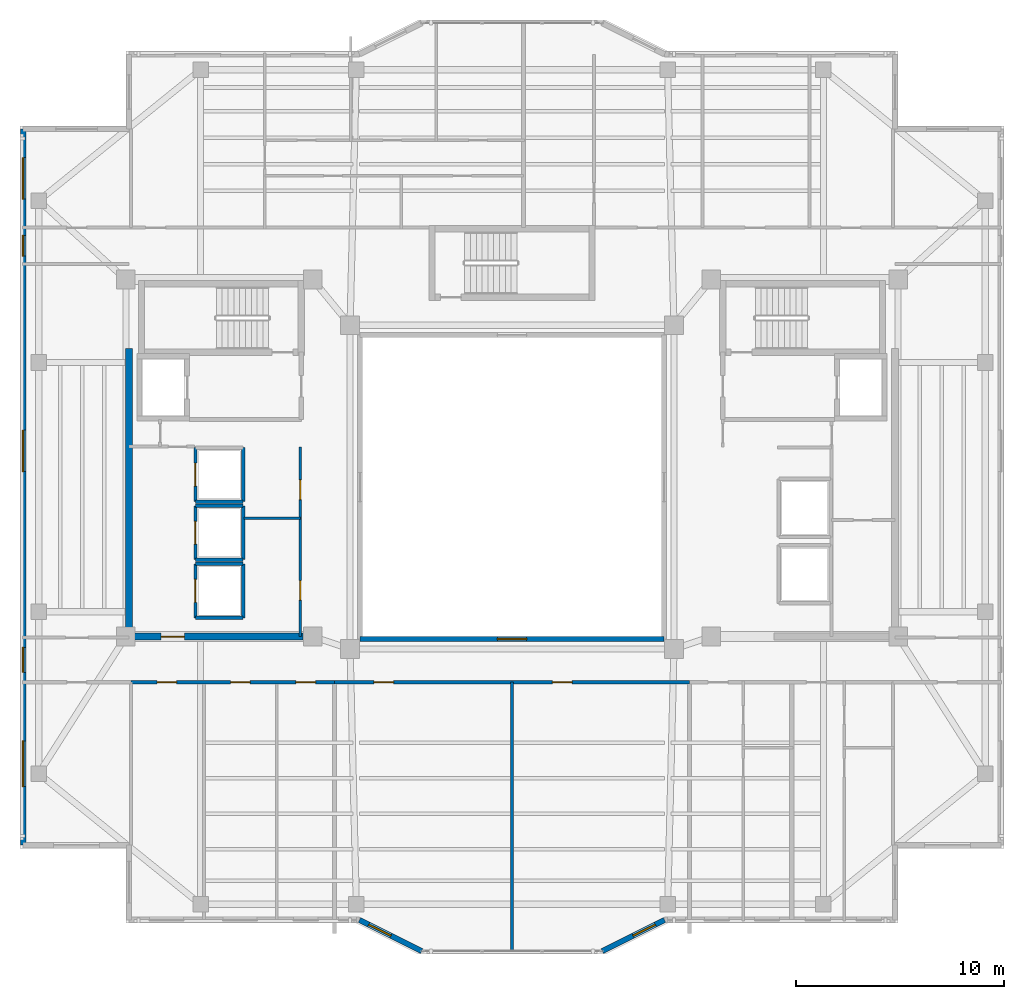
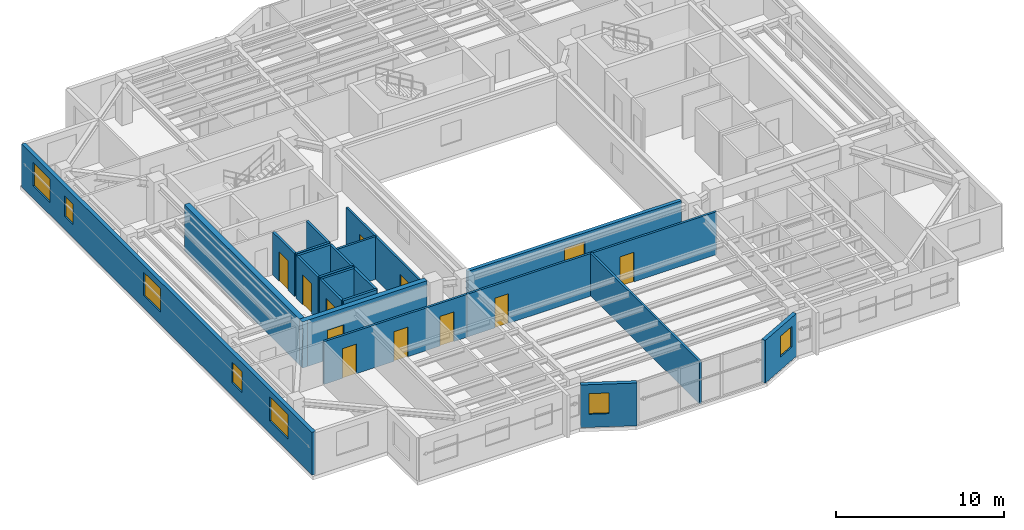
# One storey, part 6 of 13: 22 walls, 11 doors, 8 windows, 19 openings.
"""IFC4 building model written with IfcOpenShell, lengths in metres."""

from ifc_helpers import new_model, si_unit, direction, frame, frame_2d, origin, place, context, subcontext, project, spatial, rectangle, extrude, material, layer, layer_set, type_object, element, fill, save


model = new_model("IFC4")

# Units and contexts
model_context = context("Model", 3, precision=1e-05, world=origin(), true_north=direction((0.0, 1.0)))
body_context = subcontext(model_context, "Body", "Model", "MODEL_VIEW")
ifc_project = project(units=[si_unit("LENGTHUNIT", "METRE"), si_unit("AREAUNIT", "SQUARE_METRE"), si_unit("VOLUMEUNIT", "CUBIC_METRE"), si_unit("PLANEANGLEUNIT", "RADIAN"), si_unit("MASSUNIT", "GRAM", prefix="KILO")], contexts=[model_context])

# Site, building, storey
site_placement = place(None, origin())
site = spatial("IfcSite", under=ifc_project, at=site_placement, CompositionType="ELEMENT")
building_placement = place(site_placement, origin())
building = spatial("IfcBuilding", under=site, at=building_placement, Name="Tarnavaz Court Tower", CompositionType="ELEMENT")
storey_placement = place(building_placement, frame((0.0, 0.0, 193.60009765625)))
storey = spatial("IfcBuildingStorey", under=building, at=storey_placement, Name="L52", CompositionType="ELEMENT", Elevation=193.60009765625)

# Wall
ifc_material_1 = material(Name="Concrete C50/60", Category="concrete")
ifc_layer_1 = layer(ifc_material_1, 0.35009765625)
ifc_layer_set_1 = layer_set([ifc_layer_1], Name="Concrete C50/60")
wall_type_1 = type_object("IfcWallType", Name="WL-CORE-350-C50", PredefinedType="SHEAR", material=ifc_layer_set_1)
wall_1_placement = place(storey_placement, frame((-18.449951171875, -7.375, 0.0), z_axis=(0.0, 0.0, 1.0), x_axis=(0.0, 1.0, 0.0)))
element("IfcWall", 1, at=wall_1_placement, inside=storey, type_object=wall_type_1, Name="L52 West Core Shear Wall 045", PredefinedType="SHEAR", context=body_context, shape_type="SweptSolid", body=[
    extrude(rectangle(XDim=14.050048828125, YDim=0.35009765625, at=frame_2d((7.02490234375, 0.0))), origin(), (0.0, 0.0, 1.0), 3.349853515625),
])

# Wall, opening, door
wall_2_placement = place(storey_placement, frame((-18.625, -7.199951171875, 0.0), z_axis=(0.0, 0.0, 1.0), x_axis=(1.0, 0.0, 0.0)))
wall_2 = element("IfcWall", 2, at=wall_2_placement, inside=storey, type_object=wall_type_1, Name="L52 West Core South Shear Wall 046", PredefinedType="SHEAR", context=body_context, shape_type="SweptSolid", body=[
    extrude(rectangle(XDim=8.550048828125, YDim=0.35009765625, at=frame_2d((4.27490234375, 0.0))), origin(), (0.0, 0.0, 1.0), 3.349853515625),
])
opening_1_placement = place(wall_2_placement, frame((1.72509765625, 0.0, 0.0)))
opening_1 = element("IfcOpeningElement", 3, at=opening_1_placement, cuts=wall_2, Name="Opening D04", PredefinedType="OPENING", context=body_context, shape_type="SweptSolid", body=[
    extrude(rectangle(XDim=1.1201171875, YDim=2.14990234375, at=frame_2d((0.56005859375, 1.074951171875))), frame((0.0, 0.18505859375, 0.0), z_axis=(0.0, -1.0, 0.0), x_axis=(1.0, 0.0, 0.0)), (0.0, 0.0, 1.0), 0.3701171875),
])
ifc_material_2 = material(Name="Fire-Rated Hardwood Timber Core", Category="wood")
door_type_1 = type_object("IfcDoorType", Name="DR-FD60-1100", OperationType="NOTDEFINED", PredefinedType="DOOR", material=ifc_material_2)
door_1_placement = place(opening_1_placement, origin())
door_1 = element("IfcDoor", 4, at=door_1_placement, inside=storey, type_object=door_type_1, Name="L52 West High-Rise Lift Lobby Door", OperationType="SINGLE_SWING_LEFT", OverallHeight=2.14990234375, OverallWidth=1.1201171875, PredefinedType="DOOR", context=body_context, shape_type="SweptSolid", body=[
    extrude(rectangle(XDim=1.1201171875, YDim=2.14990234375, at=frame_2d((0.56005859375, 1.074951171875))), frame((0.0, 0.02490234375, 0.0), z_axis=(0.0, -1.0, 0.0), x_axis=(1.0, 0.0, 0.0)), (0.0, 0.0, 1.0), 0.050048828125),
])
fill(opening_1, door_1)

# Wall, openings, windows
ifc_material_3 = material(Name="Precast Concrete C40/50", Category="concrete")
ifc_layer_2 = layer(ifc_material_3, 0.260009765625)
ifc_layer_set_2 = layer_set([ifc_layer_2], Name="Precast Concrete C40/50")
wall_type_2 = type_object("IfcWallType", Name="WL-EXT-260", PredefinedType="SOLIDWALL", material=ifc_layer_set_2)
wall_3_placement = place(storey_placement, frame((-23.550048828125, -17.25, 0.0), z_axis=(0.0, 0.0, 1.0), x_axis=(0.0, 1.0, 0.0)))
wall_3 = element("IfcWall", 5, at=wall_3_placement, inside=storey, type_object=wall_type_2, Name="L52 Exterior Terracotta Facade Wall 02", PredefinedType="SOLIDWALL", context=body_context, shape_type="SweptSolid", body=[
    extrude(rectangle(XDim=34.5, YDim=0.260009765625, at=frame_2d((17.25, 0.0))), origin(), (0.0, 0.0, 1.0), 3.099853515625),
])
opening_2_placement = place(wall_3_placement, frame((2.824951171875, 0.0, 0.89990234375)))
opening_2 = element("IfcOpeningElement", 6, at=opening_2_placement, cuts=wall_3, Name="Opening W07", PredefinedType="OPENING", context=body_context, shape_type="SweptSolid", body=[
    extrude(rectangle(XDim=2.199951171875, YDim=1.75, at=frame_2d((1.10009765625, 0.875))), frame((0.0, 0.139892578125, 0.0), z_axis=(0.0, -1.0, 0.0), x_axis=(1.0, 0.0, 0.0)), (0.0, 0.0, 1.0), 0.280029296875),
])
opening_3_placement = place(wall_3_placement, frame((8.324951171875, 0.0, 0.949951171875)))
opening_3 = element("IfcOpeningElement", 7, at=opening_3_placement, cuts=wall_3, Name="Opening W05", PredefinedType="OPENING", context=body_context, shape_type="SweptSolid", body=[
    extrude(rectangle(XDim=1.199951171875, YDim=1.5, at=frame_2d((0.60009765625, 0.75))), frame((0.0, 0.139892578125, 0.0), z_axis=(0.0, -1.0, 0.0), x_axis=(1.0, 0.0, 0.0)), (0.0, 0.0, 1.0), 0.280029296875),
])
opening_4_placement = place(wall_3_placement, frame((18.0, 0.0, 0.89990234375)))
opening_4 = element("IfcOpeningElement", 8, at=opening_4_placement, cuts=wall_3, Name="Opening W08", PredefinedType="OPENING", context=body_context, shape_type="SweptSolid", body=[
    extrude(rectangle(XDim=2.0, YDim=1.699951171875, at=frame_2d((1.0, 0.85009765625))), frame((0.0, 0.139892578125, 0.0), z_axis=(0.0, -1.0, 0.0), x_axis=(1.0, 0.0, 0.0)), (0.0, 0.0, 1.0), 0.280029296875),
])
opening_5_placement = place(wall_3_placement, frame((28.375, 0.0, 0.949951171875)))
opening_5 = element("IfcOpeningElement", 9, at=opening_5_placement, cuts=wall_3, Name="Opening W14", PredefinedType="OPENING", context=body_context, shape_type="SweptSolid", body=[
    extrude(rectangle(XDim=1.0, YDim=1.5, at=frame_2d((0.5, 0.75))), frame((0.0, 0.139892578125, 0.0), z_axis=(0.0, -1.0, 0.0), x_axis=(1.0, 0.0, 0.0)), (0.0, 0.0, 1.0), 0.280029296875),
])
opening_6_placement = place(wall_3_placement, frame((31.125, 0.0, 0.89990234375)))
opening_6 = element("IfcOpeningElement", 10, at=opening_6_placement, cuts=wall_3, Name="Opening W08", PredefinedType="OPENING", context=body_context, shape_type="SweptSolid", body=[
    extrude(rectangle(XDim=2.0, YDim=1.699951171875, at=frame_2d((1.0, 0.85009765625))), frame((0.0, 0.139892578125, 0.0), z_axis=(0.0, -1.0, 0.0), x_axis=(1.0, 0.0, 0.0)), (0.0, 0.0, 1.0), 0.280029296875),
])
ifc_material_4 = material(Name="Double-Glazed Solar Low-E Glass", Category="glass")
window_type_1 = type_object("IfcWindowType", Name="WN-APT-1000", PartitioningType="SINGLE_PANEL", PredefinedType="WINDOW", material=ifc_material_4)
window_1_placement = place(opening_5_placement, origin())
window_1 = element("IfcWindow", 11, at=window_1_placement, inside=storey, type_object=window_type_1, Name="L52 North-West Corner Corridor Window", OverallHeight=1.5, OverallWidth=1.0, PartitioningType="SINGLE_PANEL", PredefinedType="WINDOW", context=body_context, shape_type="SweptSolid", body=[
    extrude(rectangle(XDim=1.0, YDim=1.5, at=frame_2d((0.5, 0.75))), frame((0.0, 0.030029296875, 0.0), z_axis=(0.0, -1.0, 0.0), x_axis=(1.0, 0.0, 0.0)), (0.0, 0.0, 1.0), 0.06005859375),
])
fill(opening_5, window_1)
window_type_2 = type_object("IfcWindowType", Name="WN-APT-1200", PartitioningType="SINGLE_PANEL", PredefinedType="WINDOW", material=ifc_material_4)
window_2_placement = place(opening_3_placement, origin())
window_2 = element("IfcWindow", 12, at=window_2_placement, inside=storey, type_object=window_type_2, Name="L52 South-West Corner Corridor Window", OverallHeight=1.5, OverallWidth=1.199951171875, PartitioningType="SINGLE_PANEL", PredefinedType="WINDOW", context=body_context, shape_type="SweptSolid", body=[
    extrude(rectangle(XDim=1.199951171875, YDim=1.5, at=frame_2d((0.60009765625, 0.75))), frame((0.0, 0.030029296875, 0.0), z_axis=(0.0, -1.0, 0.0), x_axis=(1.0, 0.0, 0.0)), (0.0, 0.0, 1.0), 0.06005859375),
])
fill(opening_3, window_2)
window_type_3 = type_object("IfcWindowType", Name="WN-APT-2000", PartitioningType="DOUBLE_PANEL_VERTICAL", PredefinedType="WINDOW", material=ifc_material_4)
window_3_placement = place(opening_4_placement, origin())
window_3 = element("IfcWindow", 13, at=window_3_placement, inside=storey, type_object=window_type_3, Name="L52 West Wing Panoramic Study Gallery Window", OverallHeight=1.699951171875, OverallWidth=2.0, PartitioningType="SINGLE_PANEL", PredefinedType="WINDOW", context=body_context, shape_type="SweptSolid", body=[
    extrude(rectangle(XDim=2.0, YDim=1.699951171875, at=frame_2d((1.0, 0.85009765625))), frame((0.0, 0.030029296875, 0.0), z_axis=(0.0, -1.0, 0.0), x_axis=(1.0, 0.0, 0.0)), (0.0, 0.0, 1.0), 0.06005859375),
])
fill(opening_4, window_3)
window_4_placement = place(opening_6_placement, origin())
window_4 = element("IfcWindow", 14, at=window_4_placement, inside=storey, type_object=window_type_3, Name="L52 North-West Corner Sunroom Study Window", OverallHeight=1.699951171875, OverallWidth=2.0, PartitioningType="SINGLE_PANEL", PredefinedType="WINDOW", context=body_context, shape_type="SweptSolid", body=[
    extrude(rectangle(XDim=2.0, YDim=1.699951171875, at=frame_2d((1.0, 0.85009765625))), frame((0.0, 0.030029296875, 0.0), z_axis=(0.0, -1.0, 0.0), x_axis=(1.0, 0.0, 0.0)), (0.0, 0.0, 1.0), 0.06005859375),
])
fill(opening_6, window_4)
window_type_4 = type_object("IfcWindowType", Name="WN-APT-2200", PartitioningType="TRIPLE_PANEL_VERTICAL", PredefinedType="WINDOW", material=ifc_material_4)
window_5_placement = place(opening_2_placement, origin())
window_5 = element("IfcWindow", 15, at=window_5_placement, inside=storey, type_object=window_type_4, Name="L52 South-West Corner Reading Room Window", OverallHeight=1.75, OverallWidth=2.199951171875, PartitioningType="SINGLE_PANEL", PredefinedType="WINDOW", context=body_context, shape_type="SweptSolid", body=[
    extrude(rectangle(XDim=2.199951171875, YDim=1.75, at=frame_2d((1.10009765625, 0.875))), frame((0.0, 0.030029296875, 0.0), z_axis=(0.0, -1.0, 0.0), x_axis=(1.0, 0.0, 0.0)), (0.0, 0.0, 1.0), 0.06005859375),
])
fill(opening_2, window_5)

# Wall, opening, window
wall_4_placement = place(storey_placement, frame((7.35009765625, -20.85009765625, 0.0), z_axis=(0.0, 0.0, 1.0), x_axis=(-0.894427191, -0.4472135955, 0.0)))
wall_4 = element("IfcWall", 16, at=wall_4_placement, inside=storey, type_object=wall_type_2, Name="L52 Exterior Terracotta Facade Wall 16", PredefinedType="SOLIDWALL", context=body_context, shape_type="SweptSolid", body=[
    extrude(rectangle(XDim=3.35400390625, YDim=0.260009765625, at=frame_2d((1.677001953125, 0.0))), origin(), (0.0, 0.0, 1.0), 3.099853515625),
])
opening_7_placement = place(wall_4_placement, frame((0.501220703125, 0.0, 0.949951171875)))
opening_7 = element("IfcOpeningElement", 17, at=opening_7_placement, cuts=wall_4, Name="Opening W05", PredefinedType="OPENING", context=body_context, shape_type="SweptSolid", body=[
    extrude(rectangle(XDim=1.199951171875, YDim=1.5, at=frame_2d((0.60009765625, 0.75))), frame((0.0, 0.139892578125, 0.0), z_axis=(0.0, -1.0, 0.0), x_axis=(1.0, 0.0, 0.0)), (0.0, 0.0, 1.0), 0.280029296875),
])
window_6_placement = place(opening_7_placement, origin())
window_6 = element("IfcWindow", 18, at=window_6_placement, inside=storey, type_object=window_type_2, Name="L52 South Courtyard Reading Room Window", OverallHeight=1.5, OverallWidth=1.199951171875, PartitioningType="SINGLE_PANEL", PredefinedType="WINDOW", context=body_context, shape_type="SweptSolid", body=[
    extrude(rectangle(XDim=1.199951171875, YDim=1.5, at=frame_2d((0.60009765625, 0.75))), frame((0.0, 0.030029296875, 0.0), z_axis=(0.0, -1.0, 0.0), x_axis=(1.0, 0.0, 0.0)), (0.0, 0.0, 1.0), 0.06005859375),
])
fill(opening_7, window_6)

wall_5_placement = place(storey_placement, frame((-4.35009765625, -22.35009765625, 0.0), z_axis=(0.0, 0.0, 1.0), x_axis=(-0.894427191, 0.4472135955, 0.0)))
wall_5 = element("IfcWall", 19, at=wall_5_placement, inside=storey, type_object=wall_type_2, Name="L52 Exterior Terracotta Facade Wall 18", PredefinedType="SOLIDWALL", context=body_context, shape_type="SweptSolid", body=[
    extrude(rectangle(XDim=3.35400390625, YDim=0.260009765625, at=frame_2d((1.677001953125, 0.0))), origin(), (0.0, 0.0, 1.0), 3.099853515625),
])
opening_8_placement = place(wall_5_placement, frame((1.65283203125, 0.0, 0.949951171875)))
opening_8 = element("IfcOpeningElement", 20, at=opening_8_placement, cuts=wall_5, Name="Opening W05", PredefinedType="OPENING", context=body_context, shape_type="SweptSolid", body=[
    extrude(rectangle(XDim=1.199951171875, YDim=1.5, at=frame_2d((0.60009765625, 0.75))), frame((0.0, 0.139892578125, 0.0), z_axis=(0.0, -1.0, 0.0), x_axis=(1.0, 0.0, 0.0)), (0.0, 0.0, 1.0), 0.280029296875),
])
window_7_placement = place(opening_8_placement, origin())
window_7 = element("IfcWindow", 21, at=window_7_placement, inside=storey, type_object=window_type_2, Name="L52 South Courtyard Majlis Lounge Window", OverallHeight=1.5, OverallWidth=1.199951171875, PartitioningType="SINGLE_PANEL", PredefinedType="WINDOW", context=body_context, shape_type="SweptSolid", body=[
    extrude(rectangle(XDim=1.199951171875, YDim=1.5, at=frame_2d((0.60009765625, 0.75))), frame((0.0, 0.030029296875, 0.0), z_axis=(0.0, -1.0, 0.0), x_axis=(1.0, 0.0, 0.0)), (0.0, 0.0, 1.0), 0.06005859375),
])
fill(opening_8, window_7)

# Wall, openings, doors
ifc_material_5 = material(Name="Gypsum Fire-Board on Acoustic Metal Stud", Category="masonry")
ifc_layer_3 = layer(ifc_material_5, 0.14990234375)
ifc_layer_set_3 = layer_set([ifc_layer_3], Name="Gypsum Fire-Board on Acoustic Metal Stud")
wall_type_3 = type_object("IfcWallType", Name="WL-FIRE-150", PredefinedType="PARTITIONING", material=ifc_layer_set_3)
wall_6_placement = place(storey_placement, frame((-18.35009765625, -9.39990234375, 0.0), z_axis=(0.0, 0.0, 1.0), x_axis=(1.0, 0.0, 0.0)))
wall_6 = element("IfcWall", 22, at=wall_6_placement, inside=storey, type_object=wall_type_3, Name="L52 SW Lobby Wall 059", PredefinedType="PARTITIONING", context=body_context, shape_type="SweptSolid", body=[
    extrude(rectangle(XDim=9.800048828125, YDim=0.14990234375, at=frame_2d((4.89990234375, 0.0))), origin(), (0.0, 0.0, 1.0), 3.099853515625),
])
opening_9_placement = place(wall_6_placement, frame((1.25, 0.0, 0.0)))
opening_9 = element("IfcOpeningElement", 23, at=opening_9_placement, cuts=wall_6, Name="Opening D13", PredefinedType="OPENING", context=body_context, shape_type="SweptSolid", body=[
    extrude(rectangle(XDim=0.949951171875, YDim=2.14990234375, at=frame_2d((0.47509765625, 1.074951171875))), frame((0.0, 0.0849609375, 0.0), z_axis=(0.0, -1.0, 0.0), x_axis=(1.0, 0.0, 0.0)), (0.0, 0.0, 1.0), 0.169921875),
])
opening_10_placement = place(wall_6_placement, frame((4.7900390625, 0.0, 0.0)))
opening_10 = element("IfcOpeningElement", 24, at=opening_10_placement, cuts=wall_6, Name="Opening D13", PredefinedType="OPENING", context=body_context, shape_type="SweptSolid", body=[
    extrude(rectangle(XDim=0.949951171875, YDim=2.14990234375, at=frame_2d((0.47509765625, 1.074951171875))), frame((0.0, 0.0849609375, 0.0), z_axis=(0.0, -1.0, 0.0), x_axis=(1.0, 0.0, 0.0)), (0.0, 0.0, 1.0), 0.169921875),
])
opening_11_placement = place(wall_6_placement, frame((7.93994140625, 0.0, 0.0)))
opening_11 = element("IfcOpeningElement", 25, at=opening_11_placement, cuts=wall_6, Name="Opening D13", PredefinedType="OPENING", context=body_context, shape_type="SweptSolid", body=[
    extrude(rectangle(XDim=0.949951171875, YDim=2.14990234375, at=frame_2d((0.47509765625, 1.074951171875))), frame((0.0, 0.0849609375, 0.0), z_axis=(0.0, -1.0, 0.0), x_axis=(1.0, 0.0, 0.0)), (0.0, 0.0, 1.0), 0.169921875),
])
ifc_material_6 = material(Name="Engineered Oak Timber", Category="wood")
door_type_2 = type_object("IfcDoorType", Name="DR-INT-950", OperationType="NOTDEFINED", PredefinedType="DOOR", material=ifc_material_6)
door_2_placement = place(opening_9_placement, origin())
door_2 = element("IfcDoor", 26, at=door_2_placement, inside=storey, type_object=door_type_2, Name="L52 Resident Co-Working Study Room Door", OperationType="SINGLE_SWING_RIGHT", OverallHeight=2.14990234375, OverallWidth=0.949951171875, PredefinedType="DOOR", context=body_context, shape_type="SweptSolid", body=[
    extrude(rectangle(XDim=0.949951171875, YDim=2.14990234375, at=frame_2d((0.47509765625, 1.074951171875))), frame((0.0, 0.02490234375, 0.0), z_axis=(0.0, -1.0, 0.0), x_axis=(1.0, 0.0, 0.0)), (0.0, 0.0, 1.0), 0.050048828125),
])
fill(opening_9, door_2)
door_3_placement = place(opening_10_placement, origin())
door_3 = element("IfcDoor", 27, at=door_3_placement, inside=storey, type_object=door_type_2, Name="L52 Quiet Reading Library Room Door", OperationType="SINGLE_SWING_LEFT", OverallHeight=2.14990234375, OverallWidth=0.949951171875, PredefinedType="DOOR", context=body_context, shape_type="SweptSolid", body=[
    extrude(rectangle(XDim=0.949951171875, YDim=2.14990234375, at=frame_2d((0.47509765625, 1.074951171875))), frame((0.0, 0.02490234375, 0.0), z_axis=(0.0, -1.0, 0.0), x_axis=(1.0, 0.0, 0.0)), (0.0, 0.0, 1.0), 0.050048828125),
])
fill(opening_10, door_3)
door_4_placement = place(opening_11_placement, origin())
door_4 = element("IfcDoor", 28, at=door_4_placement, inside=storey, type_object=door_type_2, Name="L52 Resident Focus Seminar Room Door", OperationType="SINGLE_SWING_RIGHT", OverallHeight=2.14990234375, OverallWidth=0.949951171875, PredefinedType="DOOR", context=body_context, shape_type="SweptSolid", body=[
    extrude(rectangle(XDim=0.949951171875, YDim=2.14990234375, at=frame_2d((0.47509765625, 1.074951171875))), frame((0.0, 0.02490234375, 0.0), z_axis=(0.0, -1.0, 0.0), x_axis=(1.0, 0.0, 0.0)), (0.0, 0.0, 1.0), 0.050048828125),
])
fill(opening_11, door_4)

wall_7_placement = place(storey_placement, frame((-8.550048828125, -9.39990234375, 0.0), z_axis=(0.0, 0.0, 1.0), x_axis=(1.0, 0.0, 0.0)))
wall_7 = element("IfcWall", 29, at=wall_7_placement, inside=storey, type_object=wall_type_3, Name="L52 Interior Partition 083", PredefinedType="PARTITIONING", context=body_context, shape_type="SweptSolid", body=[
    extrude(rectangle(XDim=17.10009765625, YDim=0.14990234375, at=frame_2d((8.550048828125, 0.0))), origin(), (0.0, 0.0, 1.0), 3.099853515625),
])
opening_12_placement = place(wall_7_placement, frame((1.89990234375, 0.0, 0.0)))
opening_12 = element("IfcOpeningElement", 30, at=opening_12_placement, cuts=wall_7, Name="Opening D13", PredefinedType="OPENING", context=body_context, shape_type="SweptSolid", body=[
    extrude(rectangle(XDim=0.949951171875, YDim=2.14990234375, at=frame_2d((0.47509765625, 1.074951171875))), frame((0.0, 0.0849609375, 0.0), z_axis=(0.0, -1.0, 0.0), x_axis=(1.0, 0.0, 0.0)), (0.0, 0.0, 1.0), 0.169921875),
])
opening_13_placement = place(wall_7_placement, frame((10.5, 0.0, 0.0)))
opening_13 = element("IfcOpeningElement", 31, at=opening_13_placement, cuts=wall_7, Name="Opening D13", PredefinedType="OPENING", context=body_context, shape_type="SweptSolid", body=[
    extrude(rectangle(XDim=0.949951171875, YDim=2.14990234375, at=frame_2d((0.47509765625, 1.074951171875))), frame((0.0, 0.0849609375, 0.0), z_axis=(0.0, -1.0, 0.0), x_axis=(1.0, 0.0, 0.0)), (0.0, 0.0, 1.0), 0.169921875),
])
door_5_placement = place(opening_12_placement, origin())
door_5 = element("IfcDoor", 32, at=door_5_placement, inside=storey, type_object=door_type_2, Name="L52 South Majlis Lounge Door", OperationType="SINGLE_SWING_LEFT", OverallHeight=2.14990234375, OverallWidth=0.949951171875, PredefinedType="DOOR", context=body_context, shape_type="SweptSolid", body=[
    extrude(rectangle(XDim=0.949951171875, YDim=2.14990234375, at=frame_2d((0.47509765625, 1.074951171875))), frame((0.0, 0.02490234375, 0.0), z_axis=(0.0, -1.0, 0.0), x_axis=(1.0, 0.0, 0.0)), (0.0, 0.0, 1.0), 0.050048828125),
])
fill(opening_12, door_5)
door_6_placement = place(opening_13_placement, origin())
door_6 = element("IfcDoor", 33, at=door_6_placement, inside=storey, type_object=door_type_2, Name="L52 South Reading Room Door", OperationType="SINGLE_SWING_RIGHT", OverallHeight=2.14990234375, OverallWidth=0.949951171875, PredefinedType="DOOR", context=body_context, shape_type="SweptSolid", body=[
    extrude(rectangle(XDim=0.949951171875, YDim=2.14990234375, at=frame_2d((0.47509765625, 1.074951171875))), frame((0.0, 0.02490234375, 0.0), z_axis=(0.0, -1.0, 0.0), x_axis=(1.0, 0.0, 0.0)), (0.0, 0.0, 1.0), 0.050048828125),
])
fill(opening_13, door_6)

ifc_material_7 = material(Name="Gypsum Plasterboard Acoustic Partition", Category="masonry")
ifc_layer_4 = layer(ifc_material_7, 0.139892578125)
ifc_layer_set_4 = layer_set([ifc_layer_4], Name="Gypsum Plasterboard Acoustic Partition")
wall_type_4 = type_object("IfcWallType", Name="WL-PART-150", PredefinedType="PARTITIONING", material=ifc_layer_set_4)
wall_8_placement = place(storey_placement, frame((-10.199951171875, -7.199951171875, 0.0), z_axis=(0.0, 0.0, 1.0), x_axis=(0.0, 1.0, 0.0)))
wall_8 = element("IfcWall", 34, at=wall_8_placement, inside=storey, type_object=wall_type_4, Name="L52 West Reclaimed Core Wall 051", PredefinedType="PARTITIONING", context=body_context, shape_type="SweptSolid", body=[
    extrude(rectangle(XDim=9.119873046875, YDim=0.139892578125, at=frame_2d((4.56005859375, 0.0))), origin(), (0.0, 0.0, 1.0), 3.099853515625),
])
opening_14_placement = place(wall_8_placement, frame((1.75, 0.0, 0.0)))
opening_14 = element("IfcOpeningElement", 35, at=opening_14_placement, cuts=wall_8, Name="Opening D08", PredefinedType="OPENING", context=body_context, shape_type="SweptSolid", body=[
    extrude(rectangle(XDim=0.949951171875, YDim=2.1201171875, at=frame_2d((0.47509765625, 1.06005859375))), frame((0.0, 0.079833984375, 0.0), z_axis=(0.0, -1.0, 0.0), x_axis=(1.0, 0.0, 0.0)), (0.0, 0.0, 1.0), 0.159912109375),
])
opening_15_placement = place(wall_8_placement, frame((6.60009765625, 0.0, 0.0)))
opening_15 = element("IfcOpeningElement", 36, at=opening_15_placement, cuts=wall_8, Name="Opening D08", PredefinedType="OPENING", context=body_context, shape_type="SweptSolid", body=[
    extrude(rectangle(XDim=0.949951171875, YDim=2.1201171875, at=frame_2d((0.47509765625, 1.06005859375))), frame((0.0, 0.079833984375, 0.0), z_axis=(0.0, -1.0, 0.0), x_axis=(1.0, 0.0, 0.0)), (0.0, 0.0, 1.0), 0.159912109375),
])
door_type_3 = type_object("IfcDoorType", Name="DR-FD30-950", OperationType="NOTDEFINED", PredefinedType="DOOR", material=ifc_material_2)
door_7_placement = place(opening_14_placement, origin())
door_7 = element("IfcDoor", 37, at=door_7_placement, inside=storey, type_object=door_type_3, Name="L52 West Study Room Door", OperationType="SINGLE_SWING_RIGHT", OverallHeight=2.1201171875, OverallWidth=0.949951171875, PredefinedType="DOOR", context=body_context, shape_type="SweptSolid", body=[
    extrude(rectangle(XDim=0.949951171875, YDim=2.1201171875, at=frame_2d((0.47509765625, 1.06005859375))), frame((0.0, 0.02490234375, 0.0), z_axis=(0.0, -1.0, 0.0), x_axis=(1.0, 0.0, 0.0)), (0.0, 0.0, 1.0), 0.050048828125),
])
fill(opening_14, door_7)
door_8_placement = place(opening_15_placement, origin())
door_8 = element("IfcDoor", 38, at=door_8_placement, inside=storey, type_object=door_type_3, Name="L52 West Laundry Room Door", OperationType="SINGLE_SWING_LEFT", OverallHeight=2.1201171875, OverallWidth=0.949951171875, PredefinedType="DOOR", context=body_context, shape_type="SweptSolid", body=[
    extrude(rectangle(XDim=0.949951171875, YDim=2.1201171875, at=frame_2d((0.47509765625, 1.06005859375))), frame((0.0, 0.02490234375, 0.0), z_axis=(0.0, -1.0, 0.0), x_axis=(1.0, 0.0, 0.0)), (0.0, 0.0, 1.0), 0.050048828125),
])
fill(opening_15, door_8)

# Walls
wall_9_placement = place(storey_placement, frame((-12.89990234375, -1.5, 0.0), z_axis=(0.0, 0.0, 1.0), x_axis=(1.0, 0.0, 0.0)))
element("IfcWall", 39, at=wall_9_placement, inside=storey, type_object=wall_type_4, Name="L52 Interior Partition 052", PredefinedType="PARTITIONING", context=body_context, shape_type="SweptSolid", body=[
    extrude(rectangle(XDim=2.699951171875, YDim=0.139892578125, at=frame_2d((1.35009765625, 0.0))), origin(), (0.0, 0.0, 1.0), 3.099853515625),
])
wall_10_placement = place(storey_placement, frame((0.0, -22.3798828125, 0.0), z_axis=(0.0, 0.0, 1.0), x_axis=(0.0, 1.0, 0.0)))
element("IfcWall", 40, at=wall_10_placement, inside=storey, type_object=wall_type_4, Name="L52 Interior Partition 084", PredefinedType="PARTITIONING", context=body_context, shape_type="SweptSolid", body=[
    extrude(rectangle(XDim=12.97998046875, YDim=0.139892578125, at=frame_2d((6.489990234375, 0.0))), origin(), (0.0, 0.0, 1.0), 3.099853515625),
])

# Wall, opening, door
ifc_material_8 = material(Name="Autoclaved Aerated Concrete Blockwork", Category="masonry")
ifc_layer_5 = layer(ifc_material_8, 0.159912109375)
ifc_layer_set_5 = layer_set([ifc_layer_5], Name="Autoclaved Aerated Concrete Blockwork")
wall_type_5 = type_object("IfcWallType", Name="WL-SHAFT-150", PredefinedType="SOLIDWALL", material=ifc_layer_set_5)
wall_11_placement = place(storey_placement, frame((-15.25, -6.300048828125, 0.0), z_axis=(0.0, 0.0, 1.0), x_axis=(0.0, 1.0, 0.0)))
wall_11 = element("IfcWall", 41, at=wall_11_placement, inside=storey, type_object=wall_type_5, Name="L52 Lift PL-H1 Shaft Wall 021", PredefinedType="SOLIDWALL", context=body_context, shape_type="SweptSolid", body=[
    extrude(rectangle(XDim=2.60009765625, YDim=0.159912109375, at=frame_2d((1.300048828125, 0.0))), origin(), (0.0, 0.0, 1.0), 3.099853515625),
])
opening_16_placement = place(wall_11_placement, frame((0.75, 0.0, 0.0)))
opening_16 = element("IfcOpeningElement", 42, at=opening_16_placement, cuts=wall_11, Name="Opening LD1", PredefinedType="OPENING", context=body_context, shape_type="SweptSolid", body=[
    extrude(rectangle(XDim=1.10009765625, YDim=2.14990234375, at=frame_2d((0.550048828125, 1.074951171875))), frame((0.0, 0.08984375, 0.0), z_axis=(0.0, -1.0, 0.0), x_axis=(1.0, 0.0, 0.0)), (0.0, 0.0, 1.0), 0.179931640625),
])
ifc_material_9 = material(Name="Stainless Steel", Category="steel")
door_type_4 = type_object("IfcDoorType", Name="DR-LD-1100", OperationType="NOTDEFINED", PredefinedType="DOOR", material=ifc_material_9)
door_9_placement = place(opening_16_placement, origin())
door_9 = element("IfcDoor", 43, at=door_9_placement, inside=storey, type_object=door_type_4, Name="L52 Lift Landing Door LD-PL-H1", OperationType="SLIDING_TO_LEFT", OverallHeight=2.14990234375, OverallWidth=1.10009765625, PredefinedType="DOOR", context=body_context, shape_type="SweptSolid", body=[
    extrude(rectangle(XDim=1.10009765625, YDim=2.14990234375, at=frame_2d((0.550048828125, 1.074951171875))), frame((0.0, 0.02490234375, 0.0), z_axis=(0.0, -1.0, 0.0), x_axis=(1.0, 0.0, 0.0)), (0.0, 0.0, 1.0), 0.050048828125),
])
fill(opening_16, door_9)

# Walls
wall_12_placement = place(storey_placement, frame((-12.949951171875, -6.300048828125, 0.0), z_axis=(0.0, 0.0, 1.0), x_axis=(0.0, 1.0, 0.0)))
element("IfcWall", 44, at=wall_12_placement, inside=storey, type_object=wall_type_5, Name="L52 Lift PL-H1 Shaft Wall 022", PredefinedType="SOLIDWALL", context=body_context, shape_type="SweptSolid", body=[
    extrude(rectangle(XDim=2.60009765625, YDim=0.159912109375, at=frame_2d((1.300048828125, 0.0))), origin(), (0.0, 0.0, 1.0), 3.099853515625),
])
for number, where, z_axis, x_axis, name in (
    (45, (-15.25, -6.300048828125, 0.0), (0.0, 0.0, 1.0), (1.0, 0.0, 0.0), "L52 Lift PL-H1 Shaft Wall 023"),
    (46, (-15.25, -3.699951171875, 0.0), (0.0, 0.0, 1.0), (1.0, 0.0, 0.0), "L52 Lift PL-H1 Shaft Wall 024"),
):
    element("IfcWall", number, at=place(storey_placement, frame(where, z_axis=z_axis, x_axis=x_axis)), inside=storey, type_object=wall_type_5, Name=name, PredefinedType="SOLIDWALL", context=body_context, shape_type="SweptSolid", body=[
        extrude(rectangle(XDim=2.300048828125, YDim=0.159912109375, at=frame_2d((1.14990234375, 0.0))), origin(), (0.0, 0.0, 1.0), 3.099853515625),
    ])

# Wall, opening, door
wall_13_placement = place(storey_placement, frame((-15.25, -3.5, 0.0), z_axis=(0.0, 0.0, 1.0), x_axis=(0.0, 1.0, 0.0)))
wall_13 = element("IfcWall", 47, at=wall_13_placement, inside=storey, type_object=wall_type_5, Name="L52 Lift PL-H2 Shaft Wall 025", PredefinedType="SOLIDWALL", context=body_context, shape_type="SweptSolid", body=[
    extrude(rectangle(XDim=2.60009765625, YDim=0.159912109375, at=frame_2d((1.300048828125, 0.0))), origin(), (0.0, 0.0, 1.0), 3.099853515625),
])
opening_17_placement = place(wall_13_placement, frame((0.75, 0.0, 0.0)))
opening_17 = element("IfcOpeningElement", 48, at=opening_17_placement, cuts=wall_13, Name="Opening LD1", PredefinedType="OPENING", context=body_context, shape_type="SweptSolid", body=[
    extrude(rectangle(XDim=1.10009765625, YDim=2.14990234375, at=frame_2d((0.550048828125, 1.074951171875))), frame((0.0, 0.08984375, 0.0), z_axis=(0.0, -1.0, 0.0), x_axis=(1.0, 0.0, 0.0)), (0.0, 0.0, 1.0), 0.179931640625),
])
door_10_placement = place(opening_17_placement, origin())
door_10 = element("IfcDoor", 49, at=door_10_placement, inside=storey, type_object=door_type_4, Name="L52 Lift Landing Door LD-PL-H2", OperationType="SLIDING_TO_LEFT", OverallHeight=2.14990234375, OverallWidth=1.10009765625, PredefinedType="DOOR", context=body_context, shape_type="SweptSolid", body=[
    extrude(rectangle(XDim=1.10009765625, YDim=2.14990234375, at=frame_2d((0.550048828125, 1.074951171875))), frame((0.0, 0.02490234375, 0.0), z_axis=(0.0, -1.0, 0.0), x_axis=(1.0, 0.0, 0.0)), (0.0, 0.0, 1.0), 0.050048828125),
])
fill(opening_17, door_10)

# Walls
wall_14_placement = place(storey_placement, frame((-12.949951171875, -3.5, 0.0), z_axis=(0.0, 0.0, 1.0), x_axis=(0.0, 1.0, 0.0)))
element("IfcWall", 50, at=wall_14_placement, inside=storey, type_object=wall_type_5, Name="L52 Lift PL-H2 Shaft Wall 026", PredefinedType="SOLIDWALL", context=body_context, shape_type="SweptSolid", body=[
    extrude(rectangle(XDim=2.60009765625, YDim=0.159912109375, at=frame_2d((1.300048828125, 0.0))), origin(), (0.0, 0.0, 1.0), 3.099853515625),
])
for number, where, z_axis, x_axis, name in (
    (51, (-15.25, -3.5, 0.0), (0.0, 0.0, 1.0), (1.0, 0.0, 0.0), "L52 Lift PL-H2 Shaft Wall 027"),
    (52, (-15.25, -0.89990234375, 0.0), (0.0, 0.0, 1.0), (1.0, 0.0, 0.0), "L52 Lift PL-H2 Shaft Wall 028"),
):
    element("IfcWall", number, at=place(storey_placement, frame(where, z_axis=z_axis, x_axis=x_axis)), inside=storey, type_object=wall_type_5, Name=name, PredefinedType="SOLIDWALL", context=body_context, shape_type="SweptSolid", body=[
        extrude(rectangle(XDim=2.300048828125, YDim=0.159912109375, at=frame_2d((1.14990234375, 0.0))), origin(), (0.0, 0.0, 1.0), 3.099853515625),
    ])

# Wall, opening, door
wall_15_placement = place(storey_placement, frame((-15.25, -0.699951171875, 0.0), z_axis=(0.0, 0.0, 1.0), x_axis=(0.0, 1.0, 0.0)))
wall_15 = element("IfcWall", 53, at=wall_15_placement, inside=storey, type_object=wall_type_5, Name="L52 Lift PL-H3 Shaft Wall 029", PredefinedType="SOLIDWALL", context=body_context, shape_type="SweptSolid", body=[
    extrude(rectangle(XDim=2.599853515625, YDim=0.159912109375, at=frame_2d((1.2998046875, 0.0))), origin(), (0.0, 0.0, 1.0), 3.099853515625),
])
opening_18_placement = place(wall_15_placement, frame((0.75, 0.0, 0.0)))
opening_18 = element("IfcOpeningElement", 54, at=opening_18_placement, cuts=wall_15, Name="Opening LD1", PredefinedType="OPENING", context=body_context, shape_type="SweptSolid", body=[
    extrude(rectangle(XDim=1.10009765625, YDim=2.14990234375, at=frame_2d((0.550048828125, 1.074951171875))), frame((0.0, 0.08984375, 0.0), z_axis=(0.0, -1.0, 0.0), x_axis=(1.0, 0.0, 0.0)), (0.0, 0.0, 1.0), 0.179931640625),
])
door_11_placement = place(opening_18_placement, origin())
door_11 = element("IfcDoor", 55, at=door_11_placement, inside=storey, type_object=door_type_4, Name="L52 Lift Landing Door LD-PL-H3", OperationType="SLIDING_TO_LEFT", OverallHeight=2.14990234375, OverallWidth=1.10009765625, PredefinedType="DOOR", context=body_context, shape_type="SweptSolid", body=[
    extrude(rectangle(XDim=1.10009765625, YDim=2.14990234375, at=frame_2d((0.550048828125, 1.074951171875))), frame((0.0, 0.02490234375, 0.0), z_axis=(0.0, -1.0, 0.0), x_axis=(1.0, 0.0, 0.0)), (0.0, 0.0, 1.0), 0.050048828125),
])
fill(opening_18, door_11)

# Walls
wall_16_placement = place(storey_placement, frame((-12.949951171875, -0.699951171875, 0.0), z_axis=(0.0, 0.0, 1.0), x_axis=(0.0, 1.0, 0.0)))
element("IfcWall", 56, at=wall_16_placement, inside=storey, type_object=wall_type_5, Name="L52 Lift PL-H3 Shaft Wall 030", PredefinedType="SOLIDWALL", context=body_context, shape_type="SweptSolid", body=[
    extrude(rectangle(XDim=2.599853515625, YDim=0.159912109375, at=frame_2d((1.2998046875, 0.0))), origin(), (0.0, 0.0, 1.0), 3.099853515625),
])
wall_17_placement = place(storey_placement, frame((-15.25, -0.699951171875, 0.0), z_axis=(0.0, 0.0, 1.0), x_axis=(1.0, 0.0, 0.0)))
element("IfcWall", 57, at=wall_17_placement, inside=storey, type_object=wall_type_5, Name="L52 Lift PL-H3 Shaft Wall 031", PredefinedType="SOLIDWALL", context=body_context, shape_type="SweptSolid", body=[
    extrude(rectangle(XDim=2.300048828125, YDim=0.159912109375, at=frame_2d((1.14990234375, 0.0))), origin(), (0.0, 0.0, 1.0), 3.099853515625),
])

# Wall, opening, window
ifc_layer_6 = layer(ifc_material_3, 0.239990234375)
ifc_layer_set_6 = layer_set([ifc_layer_6], Name="Precast Concrete C40/50")
wall_type_6 = type_object("IfcWallType", Name="WL-WELL-240", PredefinedType="SOLIDWALL", material=ifc_layer_set_6)
wall_18_placement = place(storey_placement, frame((-7.320068359375, -7.320068359375, 0.0), z_axis=(0.0, 0.0, 1.0), x_axis=(1.0, 0.0, 0.0)))
wall_18 = element("IfcWall", 58, at=wall_18_placement, inside=storey, type_object=wall_type_6, Name="L52 Badgir Light-Well Exterior Wall S", PredefinedType="SOLIDWALL", context=body_context, shape_type="SweptSolid", body=[
    extrude(rectangle(XDim=14.64013671875, YDim=0.239990234375, at=frame_2d((7.320068359375, 0.0))), origin(), (0.0, 0.0, 1.0), 3.099853515625),
])
opening_19_placement = place(wall_18_placement, frame((6.6201171875, 0.0, 0.949951171875)))
opening_19 = element("IfcOpeningElement", 59, at=opening_19_placement, cuts=wall_18, Name="Opening W13", PredefinedType="OPENING", context=body_context, shape_type="SweptSolid", body=[
    extrude(rectangle(XDim=1.39990234375, YDim=1.5, at=frame_2d((0.699951171875, 0.75))), frame((0.0, 0.1298828125, 0.0), z_axis=(0.0, -1.0, 0.0), x_axis=(1.0, 0.0, 0.0)), (0.0, 0.0, 1.0), 0.260009765625),
])
window_type_5 = type_object("IfcWindowType", Name="WN-WEL-1400", PartitioningType="SINGLE_PANEL", PredefinedType="WINDOW", material=ifc_material_4)
window_8_placement = place(opening_19_placement, origin())
window_8 = element("IfcWindow", 60, at=window_8_placement, inside=storey, type_object=window_type_5, Name="L52 Courtyard Gallery Window S", OverallHeight=1.5, OverallWidth=1.39990234375, PartitioningType="SINGLE_PANEL", PredefinedType="WINDOW", context=body_context, shape_type="SweptSolid", body=[
    extrude(rectangle(XDim=1.39990234375, YDim=1.5, at=frame_2d((0.699951171875, 0.75))), frame((0.0, 0.030029296875, 0.0), z_axis=(0.0, -1.0, 0.0), x_axis=(1.0, 0.0, 0.0)), (0.0, 0.0, 1.0), 0.06005859375),
])
fill(opening_19, window_8)

save(model, "model.ifc")
